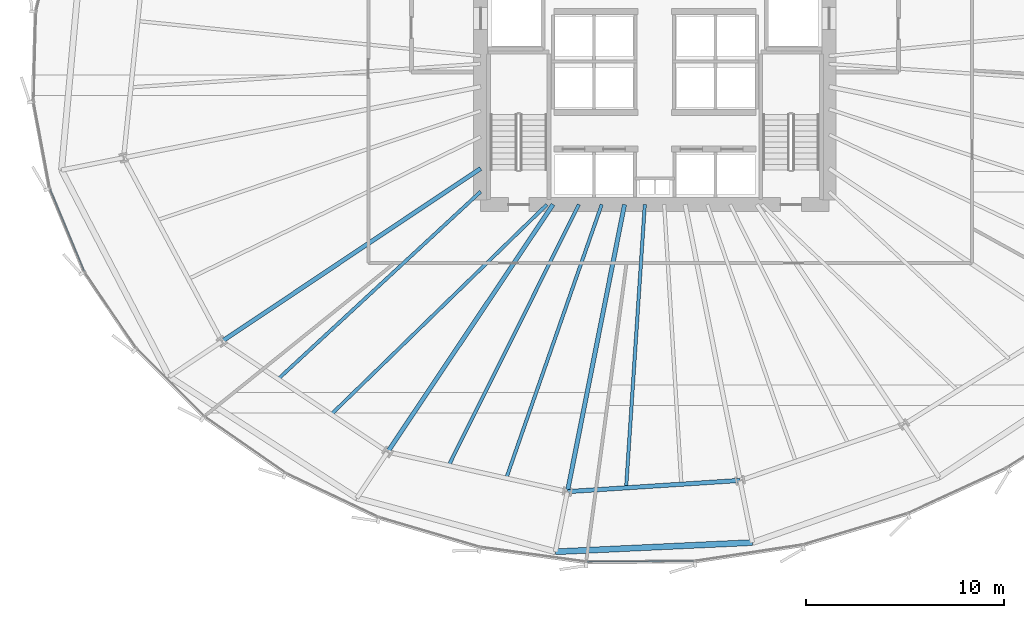
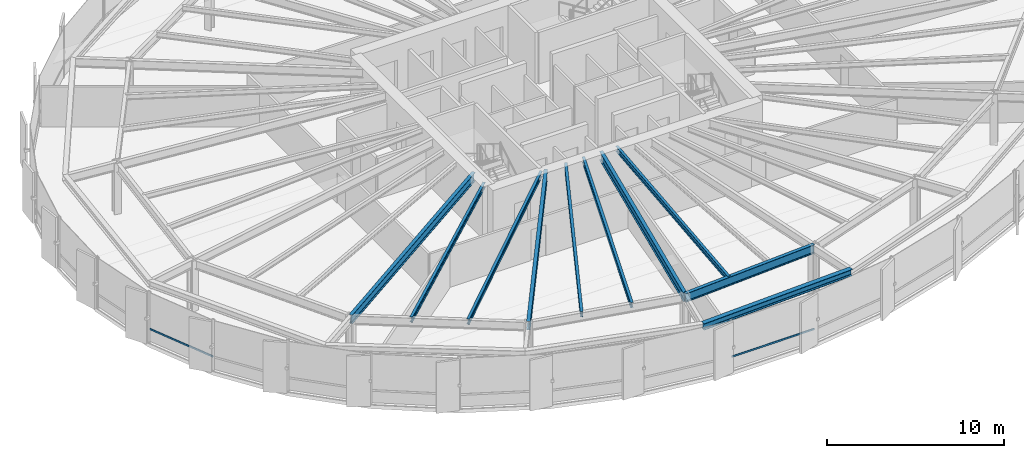
# One storey, part 6 of 37: 10 beams, 2 members, 2 elements without a shape of their own.
"""IFC4 building model written with IfcOpenShell, lengths in metres."""

import ifcopenshell
import ifcopenshell.guid

model = None  # the IFC model being written
_history = None  # IfcOwnerHistory: only IFC2X3 demands one
_inside = {}  # id of a spatial element -> (the spatial element, [elements in it])
_under = {}  # id of a project, library or spatial element -> (it, [spatial elements below it])
_declared = {}  # id of a project -> (the project, [libraries it declares])
_typed = {}  # id of a type object -> (the type object, [elements of that type])
_made_of = {}  # id of a material, layer set ... -> (it, [elements and type objects made of it])


def new_model(schema):
    """Start an empty IFC model of exactly this schema.

    Asked for "IFC4X3", IfcOpenShell would pick the latest addendum, in which some entities
    have other attributes; the version numbers below select the first issue.
    IFC2X3 requires an IfcOwnerHistory on every rooted entity: one is made here for all.
    """
    global model, _history
    if schema == "IFC4X3":
        model = ifcopenshell.file(schema_version=(4, 3, 0, 0))
    else:
        model = ifcopenshell.file(schema=schema)
    _inside.clear()
    _under.clear()
    _declared.clear()
    _typed.clear()
    _made_of.clear()
    _history = None
    if model.schema == "IFC2X3":
        org = make("IfcOrganization", Name="unknown")
        user = make(
            "IfcPersonAndOrganization",
            ThePerson=make("IfcPerson", FamilyName="unknown"),
            TheOrganization=org,
        )
        app = make(
            "IfcApplication",
            ApplicationDeveloper=org,
            Version="unknown",
            ApplicationFullName="unknown",
            ApplicationIdentifier="unknown",
        )
        _history = make(
            "IfcOwnerHistory",
            OwningUser=user,
            OwningApplication=app,
            ChangeAction="ADDED",
            CreationDate=0,
        )
    return model


def make(cls, **values):
    """One entity of the class cls with the attributes given. An attribute that is None is left unset."""
    return model.create_entity(
        cls, **{name: value for name, value in values.items() if value is not None}
    )


def rooted(cls, **values):
    """An entity with a GlobalId (a new one), such as an element, a storey or a relation."""
    return make(cls, GlobalId=ifcopenshell.guid.new(), OwnerHistory=_history, **values)


def si_unit(unit_type, name, prefix=None):
    """IfcSIUnit, for example si_unit("LENGTHUNIT", "METRE", prefix="MILLI")."""
    return make("IfcSIUnit", UnitType=unit_type, Prefix=prefix, Name=name)


def assignment(units):
    """IfcUnitAssignment: the units of a project."""
    return None if units is None else make("IfcUnitAssignment", Units=units)


def point(xyz):
    """IfcCartesianPoint."""
    return None if xyz is None else make("IfcCartesianPoint", Coordinates=xyz)


def direction(xyz):
    """IfcDirection."""
    return None if xyz is None else make("IfcDirection", DirectionRatios=xyz)


def frame(location, z_axis=None, x_axis=None):
    """IfcAxis2Placement3D, a coordinate frame: its origin and axes. An axis left out is left unset."""
    return make(
        "IfcAxis2Placement3D",
        Location=point(location),
        Axis=direction(z_axis),
        RefDirection=direction(x_axis),
    )


def frame_2d(location, x_axis=None):
    """IfcAxis2Placement2D, a coordinate frame in the plane: its origin and x axis."""
    return make(
        "IfcAxis2Placement2D", Location=point(location), RefDirection=direction(x_axis)
    )


def origin():
    """The frame at (0, 0, 0) with its axes left unset."""
    return frame((0.0, 0.0, 0.0))


def origin_2d():
    """The frame at (0, 0) in the plane with its x axis left unset."""
    return frame_2d((0.0, 0.0))


def place(relative_to, where):
    """IfcLocalPlacement: puts the frame where relative to a parent placement (None: the world)."""
    return make(
        "IfcLocalPlacement", PlacementRelTo=relative_to, RelativePlacement=where
    )


def context(
    kind, dimensions, precision=None, world=None, true_north=None, identifier=None
):
    """IfcGeometricRepresentationContext, for example the 3D "Model" context."""
    return make(
        "IfcGeometricRepresentationContext",
        ContextIdentifier=identifier,
        ContextType=kind,
        CoordinateSpaceDimension=dimensions,
        Precision=precision,
        WorldCoordinateSystem=world,
        TrueNorth=true_north,
    )


def subcontext(parent, identifier, kind, view, scale=None):
    """IfcGeometricRepresentationSubContext, for example "Body" below "Model"."""
    return make(
        "IfcGeometricRepresentationSubContext",
        ContextIdentifier=identifier,
        ContextType=kind,
        ParentContext=parent,
        TargetScale=scale,
        TargetView=view,
    )


def project(units=None, contexts=None):
    """IfcProject with its units and contexts."""
    return rooted(
        "IfcProject",
        Name="project",
        RepresentationContexts=contexts,
        UnitsInContext=assignment(units),
    )


def spatial(cls, under=None, at=None, **own):
    """A site, building, storey or space (cls), placed at a placement, below another one or the project."""
    s = rooted(cls, ObjectPlacement=at, **own)
    if under is not None:
        _under.setdefault(under.id(), (under, []))[1].append(s)
    return s


def profile(cls, at=None, kind="AREA", **sizes):
    """A parametric profile (cls). Its sizes go by their IFC names, for example OverallWidth=200.0."""
    return make(cls, ProfileType=kind, Position=at, **sizes)


def hollow_rectangle(**sizes):
    """IfcRectangleHollowProfileDef."""
    return profile("IfcRectangleHollowProfileDef", **sizes)


def i_section(**sizes):
    """IfcIShapeProfileDef."""
    return profile("IfcIShapeProfileDef", **sizes)


def extrude(swept, where, along, depth):
    """IfcExtrudedAreaSolid: the profile swept, set in the frame where, extruded along a direction by depth."""
    return make(
        "IfcExtrudedAreaSolid",
        SweptArea=swept,
        Position=where,
        ExtrudedDirection=direction(along),
        Depth=depth,
    )


def shape(context_of_items, identifier, shape_type, items):
    """IfcShapeRepresentation: the items that make up one representation, for example the "Body"."""
    return make(
        "IfcShapeRepresentation",
        ContextOfItems=context_of_items,
        RepresentationIdentifier=identifier,
        RepresentationType=shape_type,
        Items=items,
    )


def source(mapping_origin, context_of_items, identifier, shape_type, items):
    """IfcRepresentationMap: a shape defined once, which mapped items show again and again."""
    return make(
        "IfcRepresentationMap",
        MappingOrigin=mapping_origin,
        MappedRepresentation=shape(context_of_items, identifier, shape_type, items),
    )


def transform(
    local_origin,
    x_axis=None,
    y_axis=None,
    z_axis=None,
    scale=None,
    scale2=None,
    scale3=None,
    uniform=True,
):
    """IfcCartesianTransformationOperator3D, or its non-uniform kind. x_axis, y_axis, z_axis: its Axis1, 2, 3."""
    if uniform:
        return make(
            "IfcCartesianTransformationOperator3D",
            Axis1=direction(x_axis),
            Axis2=direction(y_axis),
            LocalOrigin=point(local_origin),
            Scale=scale,
            Axis3=direction(z_axis),
        )
    return make(
        "IfcCartesianTransformationOperator3DnonUniform",
        Axis1=direction(x_axis),
        Axis2=direction(y_axis),
        LocalOrigin=point(local_origin),
        Scale=scale,
        Axis3=direction(z_axis),
        Scale2=scale2,
        Scale3=scale3,
    )


def mapped(mapping_source, mapping_target):
    """IfcMappedItem: shows the shape of a source again, moved by a transform."""
    return make(
        "IfcMappedItem", MappingSource=mapping_source, MappingTarget=mapping_target
    )


def material(Name=None, Category=None):
    """IfcMaterial."""
    return make("IfcMaterial", Name=Name, Category=Category)


def layer(
    of_material, thickness, ventilated=None, Name=None, Category=None, Priority=None
):
    """IfcMaterialLayer: one layer of a wall or slab, of a material (None: an air gap)."""
    return make(
        "IfcMaterialLayer",
        Material=of_material,
        LayerThickness=thickness,
        IsVentilated=ventilated,
        Name=Name,
        Category=Category,
        Priority=Priority,
    )


def layer_set(layers, Name=None):
    """IfcMaterialLayerSet."""
    return make("IfcMaterialLayerSet", MaterialLayers=layers, LayerSetName=Name)


def material_profile(
    of_material, cross_section, Name=None, Category=None, Priority=None
):
    """IfcMaterialProfile: a cross section and its material."""
    return make(
        "IfcMaterialProfile",
        Name=Name,
        Material=of_material,
        Profile=cross_section,
        Priority=Priority,
        Category=Category,
    )


def profile_set(profiles, Name=None, composite=None):
    """IfcMaterialProfileSet."""
    return make(
        "IfcMaterialProfileSet",
        Name=Name,
        MaterialProfiles=profiles,
        CompositeProfile=composite,
    )


def made_of(thing, what):
    """Note that an element or type object is made of a material, layer set ...; save() writes the relation."""
    if what is not None:
        _made_of.setdefault(what.id(), (what, []))[1].append(thing)
    return thing


def type_object(cls, material=None, **own):
    """A type object (cls), such as IfcWallType, which elements share."""
    return made_of(rooted(cls, **own), material)


def element(
    cls,
    number,
    at=None,
    inside=None,
    cuts=None,
    type_object=None,
    material=None,
    context=None,
    identifier="Body",
    shape_type=None,
    held_by="IfcProductDefinitionShape",
    body=None,
    shapes=None,
    **own,
):
    """One element of the class cls, such as IfcWall. Its Tag is "e" and its number.

    at: its placement. inside: the storey or other place that contains it. cuts: it is an
    opening in that element (IfcRelVoidsElement). A single representation is given by context,
    identifier, shape_type and body (its items); several are given by shapes. held_by: the class
    of the entity that holds the representations. save() writes the other relations.
    """
    e = rooted(cls, Tag="e%d" % number, ObjectPlacement=at, **own)
    if body is not None:
        shapes = [shape(context, identifier, shape_type, body)]
    if shapes is not None:
        e.Representation = make(held_by, Representations=shapes)
    if inside is not None:
        _inside.setdefault(inside.id(), (inside, []))[1].append(e)
    if cuts is not None:
        rooted(
            "IfcRelVoidsElement", RelatingBuildingElement=cuts, RelatedOpeningElement=e
        )
    if type_object is not None:
        _typed.setdefault(type_object.id(), (type_object, []))[1].append(e)
    return made_of(e, material)


def aggregate(whole, parts):
    """IfcRelAggregates: a whole, such as a stair, and the parts it consists of."""
    return rooted("IfcRelAggregates", RelatingObject=whole, RelatedObjects=parts)


def save(model, path):
    """Write the relations noted so far, then the file.

    IfcRelAggregates (storeys below a building ...), IfcRelContainedInSpatialStructure (elements
    in a storey), IfcRelDefinesByType, IfcRelAssociatesMaterial and IfcRelDeclares: one each for
    every whole, place, type object, material and project.
    """
    for whole, parts in _under.values():
        aggregate(whole, parts)
    for where, things in _inside.values():
        rooted(
            "IfcRelContainedInSpatialStructure",
            RelatedElements=things,
            RelatingStructure=where,
        )
    for kind, things in _typed.values():
        rooted("IfcRelDefinesByType", RelatedObjects=things, RelatingType=kind)
    for what, things in _made_of.values():
        rooted("IfcRelAssociatesMaterial", RelatedObjects=things, RelatingMaterial=what)
    for by, libraries in _declared.values():
        rooted("IfcRelDeclares", RelatingContext=by, RelatedDefinitions=libraries)
    model.write(path)


model = new_model("IFC4")

# Units and contexts
model_context = context("Model", 3, precision=1e-05, world=origin(), true_north=direction((0.0, 1.0)))
body_context = subcontext(model_context, "Body", "Model", "MODEL_VIEW")
ifc_project = project(units=[si_unit("LENGTHUNIT", "METRE"), si_unit("AREAUNIT", "SQUARE_METRE"), si_unit("VOLUMEUNIT", "CUBIC_METRE"), si_unit("PLANEANGLEUNIT", "RADIAN"), si_unit("MASSUNIT", "GRAM", prefix="KILO"), si_unit("THERMODYNAMICTEMPERATUREUNIT", "KELVIN")], contexts=[model_context])

# Site, building, storey
site_placement = place(None, origin())
site = spatial("IfcSite", under=ifc_project, at=site_placement, CompositionType="ELEMENT")
building_placement = place(site_placement, origin())
building = spatial("IfcBuilding", under=site, at=building_placement, Name="Kethvar Cultural Tower", CompositionType="ELEMENT")
storey_placement = place(building_placement, frame((0.0, 0.0, 48.60009765625)))
storey = spatial("IfcBuildingStorey", under=building, at=storey_placement, Name="L11", CompositionType="ELEMENT", Elevation=48.60009765625)

# Beams
ifc_material_1 = material(Name="Steel S355J2", Category="steel")
ifc_material_profile_1 = material_profile(ifc_material_1, i_section(OverallWidth=0.219970703125, OverallDepth=0.60009765625, WebThickness=0.011962890625, FlangeThickness=0.01904296875, FilletRadius=0.02392578125, at=origin_2d()), Name="Steel S355J2 — IPE600")
ifc_profile_set_1 = profile_set([ifc_material_profile_1], Name="Steel S355J2 — IPE600")
beam_type_1 = type_object("IfcBeamType", Name="BM-IPE600", PredefinedType="BEAM", material=ifc_profile_set_1)
shared_shape_1 = source(origin(), body_context, "Body", "SweptSolid", [
    extrude(i_section(OverallWidth=0.219970703125, OverallDepth=0.60009765625, WebThickness=0.011962890625, FlangeThickness=0.01904296875, FilletRadius=0.02392578125, at=origin_2d()), origin(), (0.0, 0.0, 1.0), 15.725341796875),
])
beam_1_placement = place(storey_placement, frame((38.0, 21.919921875, 3.247802734375), z_axis=(-0.831469433959, -0.555570499929, 0.0), x_axis=(0.555570499929, -0.831469433959, 0.0)))
element("IfcBeam", 1, at=beam_1_placement, inside=storey, type_object=beam_type_1, Name="L11 Primary Radial Beam RB-10", PredefinedType="BEAM", context=body_context, shape_type="MappedRepresentation", body=[
    mapped(shared_shape_1, transform((0.0, 0.0, 0.0), scale=1.0)),
])
shared_shape_2 = source(origin(), body_context, "Body", "SweptSolid", [
    extrude(i_section(OverallWidth=0.219970703125, OverallDepth=0.60009765625, WebThickness=0.011962890625, FlangeThickness=0.01904296875, FilletRadius=0.02392578125, at=origin_2d()), origin(), (0.0, 0.0, 1.0), 15.03515625),
])
beam_2_placement = place(storey_placement, frame((41.655029296875, 20.10009765625, 3.247802734375), z_axis=(-0.555569254616, -0.83147026605, 0.0), x_axis=(0.83147026605, -0.555569254616, 0.0)))
element("IfcBeam", 2, at=beam_2_placement, inside=storey, type_object=beam_type_1, Name="L11 Primary Radial Beam RB-11", PredefinedType="BEAM", context=body_context, shape_type="MappedRepresentation", body=[
    mapped(shared_shape_2, transform((0.0, 0.0, 0.0), scale=1.0)),
])
shared_shape_3 = source(origin(), body_context, "Body", "SweptSolid", [
    extrude(i_section(OverallWidth=0.219970703125, OverallDepth=0.60009765625, WebThickness=0.011962890625, FlangeThickness=0.01904296875, FilletRadius=0.02392578125, at=origin_2d()), origin(), (0.0, 0.0, 1.0), 14.7880859375),
])
beam_3_placement = place(storey_placement, frame((45.268310546875, 20.10009765625, 3.247802734375), z_axis=(-0.1950905456, -0.98078523593, 0.0), x_axis=(0.98078523593, -0.1950905456, 0.0)))
element("IfcBeam", 3, at=beam_3_placement, inside=storey, type_object=beam_type_1, Name="L11 Primary Radial Beam RB-12", PredefinedType="BEAM", context=body_context, shape_type="MappedRepresentation", body=[
    mapped(shared_shape_3, transform((0.0, 0.0, 0.0), scale=1.0)),
])
ifc_material_profile_2 = material_profile(ifc_material_1, i_section(OverallWidth=0.169921875, OverallDepth=0.360107421875, WebThickness=0.008056640625, FlangeThickness=0.0126953125, FilletRadius=0.01806640625, at=origin_2d()), Name="Steel S355J2 — IPE360")
ifc_profile_set_2 = profile_set([ifc_material_profile_2], Name="Steel S355J2 — IPE360")
beam_type_2 = type_object("IfcBeamType", Name="BM-J360", PredefinedType="JOIST", material=ifc_profile_set_2)
shared_shape_4 = source(origin(), body_context, "Body", "SweptSolid", [
    extrude(i_section(OverallWidth=0.169921875, OverallDepth=0.360107421875, WebThickness=0.008056640625, FlangeThickness=0.0126953125, FilletRadius=0.01806640625, at=origin_2d()), origin(), (0.0, 0.0, 1.0), 13.93505859375),
])
beam_4_placement = place(storey_placement, frame((38.0, 20.75, 3.367919921875), z_axis=(-0.733909459287, -0.679247308106, 0.0), x_axis=(0.679247308106, -0.733909459287, 0.0)))
element("IfcBeam", 4, at=beam_4_placement, inside=storey, type_object=beam_type_2, Name="L11 Composite Floor Joist J-10A", PredefinedType="JOIST", context=body_context, shape_type="MappedRepresentation", body=[
    mapped(shared_shape_4, transform((0.0, 0.0, 0.0), scale=1.0)),
])
shared_shape_5 = source(origin(), body_context, "Body", "SweptSolid", [
    extrude(i_section(OverallWidth=0.169921875, OverallDepth=0.360107421875, WebThickness=0.008056640625, FlangeThickness=0.0126953125, FilletRadius=0.01806640625, at=origin_2d()), origin(), (0.0, 0.0, 1.0), 15.20361328125),
])
beam_5_placement = place(storey_placement, frame((41.35009765625, 20.10009765625, 3.367919921875), z_axis=(-0.716707709325, -0.697373687053, 0.0), x_axis=(0.697373687053, -0.716707709325, 0.0)))
element("IfcBeam", 5, at=beam_5_placement, inside=storey, type_object=beam_type_2, Name="L11 Composite Floor Joist J-10B", PredefinedType="JOIST", context=body_context, shape_type="MappedRepresentation", body=[
    mapped(shared_shape_5, transform((0.0, 0.0, 0.0), scale=1.0)),
])
shared_shape_6 = source(origin(), body_context, "Body", "SweptSolid", [
    extrude(i_section(OverallWidth=0.169921875, OverallDepth=0.360107421875, WebThickness=0.008056640625, FlangeThickness=0.0126953125, FilletRadius=0.01806640625, at=origin_2d()), origin(), (0.0, 0.0, 1.0), 14.729248046875),
])
beam_6_placement = place(storey_placement, frame((42.961181640625, 20.10009765625, 3.367919921875), z_axis=(-0.446152473361, -0.894956965733, 0.0), x_axis=(0.894956965733, -0.446152473361, 0.0)))
element("IfcBeam", 6, at=beam_6_placement, inside=storey, type_object=beam_type_2, Name="L11 Composite Floor Joist J-11A", PredefinedType="JOIST", context=body_context, shape_type="MappedRepresentation", body=[
    mapped(shared_shape_6, transform((0.0, 0.0, 0.0), scale=1.0)),
])
shared_shape_7 = source(origin(), body_context, "Body", "SweptSolid", [
    extrude(i_section(OverallWidth=0.169921875, OverallDepth=0.360107421875, WebThickness=0.008056640625, FlangeThickness=0.0126953125, FilletRadius=0.01806640625, at=origin_2d()), origin(), (0.0, 0.0, 1.0), 14.63916015625),
])
beam_7_placement = place(storey_placement, frame((44.115234375, 20.10009765625, 3.367919921875), z_axis=(-0.329226238223, -0.94425107046, 0.0), x_axis=(0.94425107046, -0.329226238223, 0.0)))
element("IfcBeam", 7, at=beam_7_placement, inside=storey, type_object=beam_type_2, Name="L11 Composite Floor Joist J-11B", PredefinedType="JOIST", context=body_context, shape_type="MappedRepresentation", body=[
    mapped(shared_shape_7, transform((0.0, 0.0, 0.0), scale=1.0)),
])
shared_shape_8 = source(origin(), body_context, "Body", "SweptSolid", [
    extrude(i_section(OverallWidth=0.219970703125, OverallDepth=0.60009765625, WebThickness=0.011962890625, FlangeThickness=0.01904296875, FilletRadius=0.02392578125, at=origin_2d()), origin(), (0.0, 0.0, 1.0), 8.739013671875),
])
beam_8_placement = place(storey_placement, frame((42.38330078125, 5.59619140625, 3.247802734375), z_axis=(0.997897424084, 0.064813046581, 0.0), x_axis=(-0.064813046581, 0.997897424084, 0.0)))
element("IfcBeam", 8, at=beam_8_placement, inside=storey, type_object=beam_type_1, Name="L11 Column Ring Tie Beam CR-12", PredefinedType="BEAM", context=body_context, shape_type="MappedRepresentation", body=[
    mapped(shared_shape_8, transform((0.0, 0.0, 0.0), scale=1.0)),
])
shared_shape_9 = source(origin(), body_context, "Body", "SweptSolid", [
    extrude(i_section(OverallWidth=0.169921875, OverallDepth=0.360107421875, WebThickness=0.008056640625, FlangeThickness=0.0126953125, FilletRadius=0.01806640625, at=origin_2d()), origin(), (0.0, 0.0, 1.0), 14.34228515625),
])
beam_9_placement = place(storey_placement, frame((46.292236328125, 20.10009765625, 3.367919921875), z_axis=(-0.065808348808, -0.997832281111, 0.0), x_axis=(0.997832281111, -0.065808348808, 0.0)))
element("IfcBeam", 9, at=beam_9_placement, inside=storey, type_object=beam_type_2, Name="L11 Composite Floor Joist J-12A", PredefinedType="JOIST", context=body_context, shape_type="MappedRepresentation", body=[
    mapped(shared_shape_9, transform((0.0, 0.0, 0.0), scale=1.0)),
])
ifc_material_profile_3 = material_profile(ifc_material_1, i_section(OverallWidth=0.300048828125, OverallDepth=0.449951171875, WebThickness=0.013916015625, FlangeThickness=0.02587890625, FilletRadius=0.027099609375, at=origin_2d()), Name="Steel S355J2 — HEB450")
ifc_profile_set_3 = profile_set([ifc_material_profile_3], Name="Steel S355J2 — HEB450")
beam_type_3 = type_object("IfcBeamType", Name="BM-SP450", PredefinedType="SPANDREL", material=ifc_profile_set_3)
shared_shape_10 = source(origin(), body_context, "Body", "SweptSolid", [
    extrude(i_section(OverallWidth=0.300048828125, OverallDepth=0.449951171875, WebThickness=0.013916015625, FlangeThickness=0.02587890625, FilletRadius=0.027099609375, at=origin_2d()), origin(), (0.0, 0.0, 1.0), 9.960205078125),
])
beam_10_placement = place(storey_placement, frame((41.779052734375, 2.558349609375, 3.322998046875), z_axis=(0.998905752417, 0.046768555546, 0.0), x_axis=(-0.046768555546, 0.998905752417, 0.0)))
element("IfcBeam", 10, at=beam_10_placement, inside=storey, type_object=beam_type_3, Name="L11 Perimeter Spandrel Beam SP-12", PredefinedType="SPANDREL", context=body_context, shape_type="MappedRepresentation", body=[
    mapped(shared_shape_10, transform((0.0, 0.0, 0.0), scale=1.0)),
])

# Curtain wall, member
ifc_material_2 = material(Name="Aluminium 6063-T6", Category="aluminium")
ifc_layer = layer(ifc_material_2, 0.179931640625, Name="Aluminium 6063-T6", Category="aluminium")
ifc_layer_set = layer_set([ifc_layer], Name="Aluminium 6063-T6 (180 mm)")
curtain_wall_type = type_object("IfcCurtainWallType", Name="CW-SYS-02-Z1", PredefinedType="NOTDEFINED", material=ifc_layer_set)
curtain_wall_1_placement = place(storey_placement, origin())
curtain_wall_1 = element("IfcCurtainWall", 11, at=curtain_wall_1_placement, inside=storey, type_object=curtain_wall_type, Name="L11 Curtain Wall Run 05", PredefinedType="NOTDEFINED")
ifc_material_profile_4 = material_profile(ifc_material_2, hollow_rectangle(XDim=0.054931640625, YDim=0.1201171875, WallThickness=0.00390625, at=origin_2d()), Name="Aluminium 6063-T6 — RHS120x55x4")
ifc_profile_set_4 = profile_set([ifc_material_profile_4], Name="Aluminium 6063-T6 — RHS120x55x4")
member_type = type_object("IfcMemberType", Name="CW-SYS-02-Z1-TRN", PredefinedType="USERDEFINED", material=ifc_profile_set_4)
shared_shape_11 = source(origin(), body_context, "Body", "SweptSolid", [
    extrude(hollow_rectangle(XDim=0.054931640625, YDim=0.1201171875, WallThickness=0.00390625, at=origin_2d()), origin(), (0.0, 0.0, 1.0), 5.407958984375),
])
member_1_placement = place(storey_placement, frame((43.377197265625, 2.055908203125, 0.949951171875), z_axis=(0.999975831581, 0.006952427904, 0.0), x_axis=(-0.006952427904, 0.999975831581, 0.0)))
member_1 = element("IfcMember", 12, at=member_1_placement, type_object=member_type, Name="CW-L11-R05 Transom 3", ObjectType="TRANSOM", PredefinedType="USERDEFINED", context=body_context, shape_type="MappedRepresentation", body=[
    mapped(shared_shape_11, transform((0.0, 0.0, 0.0), scale=1.0)),
])
aggregate(curtain_wall_1, [member_1])

curtain_wall_2_placement = place(storey_placement, origin())
curtain_wall_2 = element("IfcCurtainWall", 13, at=curtain_wall_2_placement, inside=storey, type_object=curtain_wall_type, Name="L11 Curtain Wall Run 04", PredefinedType="NOTDEFINED")
shared_shape_12 = source(origin(), body_context, "Body", "SweptSolid", [
    extrude(hollow_rectangle(XDim=0.054931640625, YDim=0.1201171875, WallThickness=0.00390625, at=origin_2d()), origin(), (0.0, 0.0, 1.0), 4.495361328125),
])
member_2_placement = place(storey_placement, frame((16.25634765625, 20.87646484375, 0.949951171875), z_axis=(0.384295287883, -0.923210231589, 0.0), x_axis=(0.923210231589, 0.384295287883, 0.0)))
member_2 = element("IfcMember", 14, at=member_2_placement, type_object=member_type, Name="CW-L11-R04 Transom 2", ObjectType="TRANSOM", PredefinedType="USERDEFINED", context=body_context, shape_type="MappedRepresentation", body=[
    mapped(shared_shape_12, transform((0.0, 0.0, 0.0), scale=1.0)),
])
aggregate(curtain_wall_2, [member_2])

save(model, "model.ifc")
